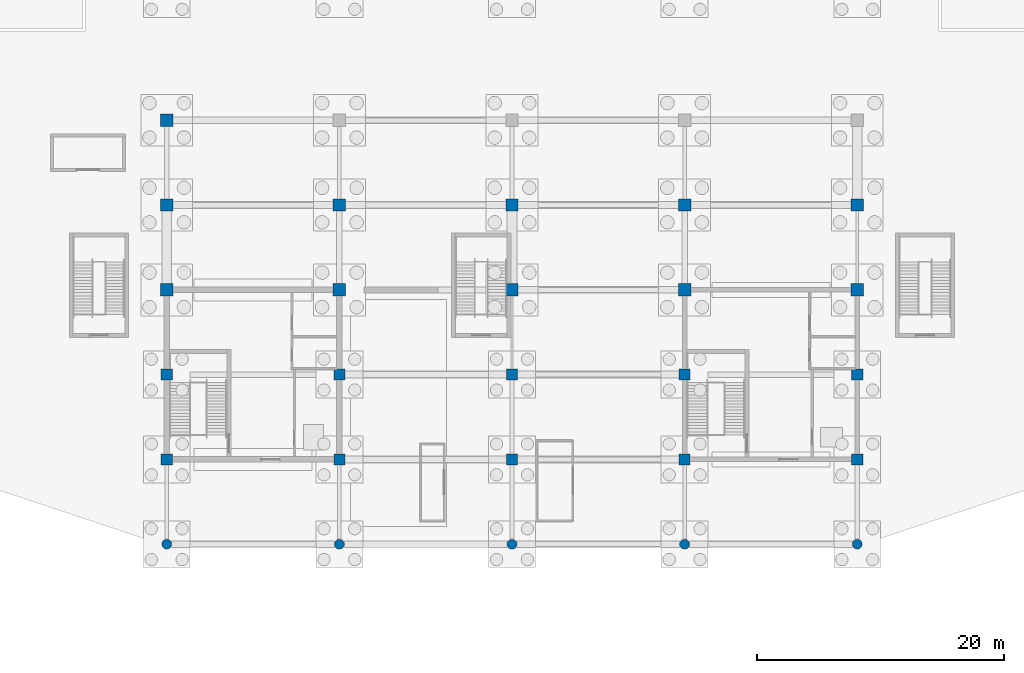
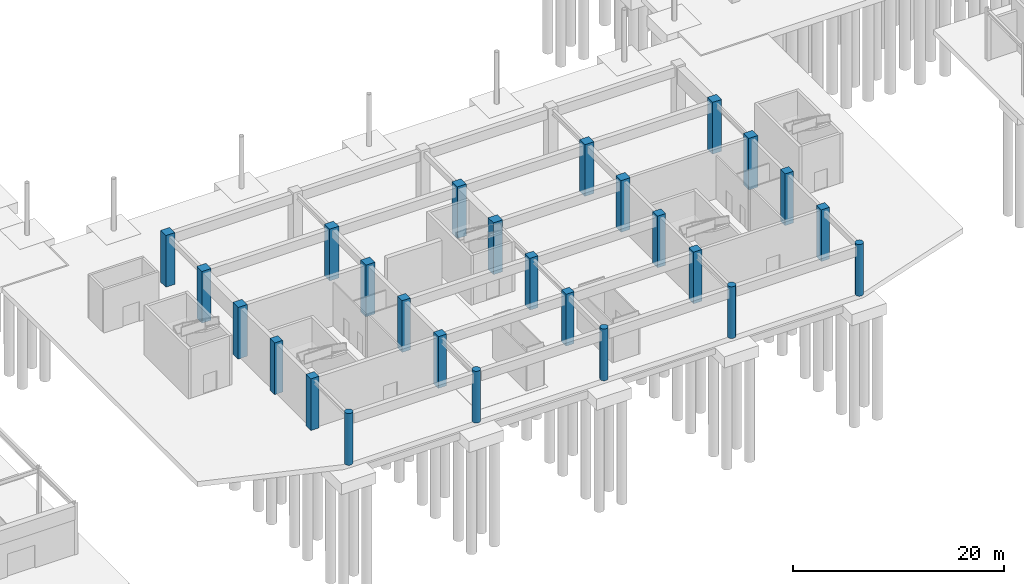
# One storey, part 11 of 62: 26 columns.
"""IFC4 building model written with IfcOpenShell, lengths in metres."""

from ifc_helpers import new_model, si_unit, direction, frame, origin, origin_2d, place, context, subcontext, project, spatial, rectangle, circle, extrude, material, material_profile, profile_set, type_object, element, save


model = new_model("IFC4")

# Units and contexts
model_context = context("Model", 3, precision=1e-05, world=origin(), true_north=direction((0.0, 1.0)))
body_context = subcontext(model_context, "Body", "Model", "MODEL_VIEW")
ifc_project = project(units=[si_unit("LENGTHUNIT", "METRE"), si_unit("AREAUNIT", "SQUARE_METRE"), si_unit("VOLUMEUNIT", "CUBIC_METRE"), si_unit("PLANEANGLEUNIT", "RADIAN"), si_unit("MASSUNIT", "GRAM", prefix="KILO")], contexts=[model_context])

# Site, building, storey
site_placement = place(None, origin())
site = spatial("IfcSite", under=ifc_project, at=site_placement, CompositionType="ELEMENT")
building_placement = place(site_placement, origin())
building = spatial("IfcBuilding", under=site, at=building_placement, Name="Linyun Crest Stadium", CompositionType="ELEMENT")
storey_placement = place(building_placement, frame((0.0, 0.0, -6.0)))
storey = spatial("IfcBuildingStorey", under=building, at=storey_placement, Name="B1", CompositionType="ELEMENT", Elevation=-6.0)

# Columns
ifc_material_1 = material(Name="Concrete C50", Category="concrete")
ifc_material_profile_1 = material_profile(ifc_material_1, rectangle(XDim=0.89990234375, YDim=0.89990234375, at=origin_2d()), Name="RC 900x900")
ifc_profile_set_1 = profile_set([ifc_material_profile_1], Name="Concrete C50")
column_type_1 = type_object("IfcColumnType", Name="C04", PredefinedType="COLUMN", material=ifc_profile_set_1)
for number, where, z_axis, x_axis, name in (
    (1, (-28.0, -87.25, 0.0), (0.0, 0.0, 1.0), (1.0, 0.0, 0.0), "Column C04 B1 677"),
    (2, (-28.0, -80.375, 0.0), (0.0, 0.0, 1.0), (1.0, 0.0, 0.0), "Column C04 B1 682"),
    (3, (-14.0, -87.25, 0.0), (0.0, 0.0, 1.0), (1.0, 0.0, 0.0), "Column C04 B1 701"),
    (4, (-14.0, -80.375, 0.0), (0.0, 0.0, 1.0), (1.0, 0.0, 0.0), "Column C04 B1 706"),
    (5, (0.0, -87.25, 0.0), (0.0, 0.0, 1.0), (1.0, 0.0, 0.0), "Column C04 B1 725"),
    (6, (0.0, -80.375, 0.0), (0.0, 0.0, 1.0), (1.0, 0.0, 0.0), "Column C04 B1 730"),
    (7, (14.0, -87.25, 0.0), (0.0, 0.0, 1.0), (1.0, 0.0, 0.0), "Column C04 B1 749"),
    (8, (14.0, -80.375, 0.0), (0.0, 0.0, 1.0), (1.0, 0.0, 0.0), "Column C04 B1 754"),
    (9, (28.0, -87.25, 0.0), (0.0, 0.0, 1.0), (1.0, 0.0, 0.0), "Column C04 B1 773"),
    (10, (28.0, -80.375, 0.0), (0.0, 0.0, 1.0), (1.0, 0.0, 0.0), "Column C04 B1 778"),
):
    element("IfcColumn", number, at=place(storey_placement, frame(where, z_axis=z_axis, x_axis=x_axis)), inside=storey, type_object=column_type_1, Name=name, PredefinedType="COLUMN", context=body_context, shape_type="SweptSolid", body=[
        extrude(rectangle(XDim=0.89990234375, YDim=0.89990234375, at=origin_2d()), origin(), (0.0, 0.0, 1.0), 5.998046875),
    ])
ifc_material_2 = material(Name="Concrete C50", Category="concrete")
ifc_material_profile_2 = material_profile(ifc_material_2, rectangle(XDim=1.0, YDim=1.0, at=origin_2d()), Name="RC 1000x1000")
ifc_profile_set_2 = profile_set([ifc_material_profile_2], Name="Concrete C50")
column_type_2 = type_object("IfcColumnType", Name="C05", PredefinedType="COLUMN", material=ifc_profile_set_2)
for number, where, z_axis, x_axis, name in (
    (11, (-28.0, -73.5, 0.0), (0.0, 0.0, 1.0), (1.0, 0.0, 0.0), "Column C05 B1 687"),
    (12, (-28.0, -66.625, 0.0), (0.0, 0.0, 1.0), (1.0, 0.0, 0.0), "Column C05 B1 692"),
    (13, (-28.0, -59.75, 0.0), (0.0, 0.0, 1.0), (1.0, 0.0, 0.0), "Column C05 B1 696"),
    (14, (-14.0, -73.5, 0.0), (0.0, 0.0, 1.0), (1.0, 0.0, 0.0), "Column C05 B1 711"),
    (15, (-14.0, -66.625, 0.0), (0.0, 0.0, 1.0), (1.0, 0.0, 0.0), "Column C05 B1 716"),
    (16, (0.0, -73.5, 0.0), (0.0, 0.0, 1.0), (1.0, 0.0, 0.0), "Column C05 B1 735"),
    (17, (0.0, -66.625, 0.0), (0.0, 0.0, 1.0), (1.0, 0.0, 0.0), "Column C05 B1 740"),
    (18, (14.0, -73.5, 0.0), (0.0, 0.0, 1.0), (1.0, 0.0, 0.0), "Column C05 B1 759"),
    (19, (14.0, -66.625, 0.0), (0.0, 0.0, 1.0), (1.0, 0.0, 0.0), "Column C05 B1 764"),
    (20, (28.0, -73.5, 0.0), (0.0, 0.0, 1.0), (1.0, 0.0, 0.0), "Column C05 B1 783"),
    (21, (28.0, -66.625, 0.0), (0.0, 0.0, 1.0), (1.0, 0.0, 0.0), "Column C05 B1 788"),
):
    element("IfcColumn", number, at=place(storey_placement, frame(where, z_axis=z_axis, x_axis=x_axis)), inside=storey, type_object=column_type_2, Name=name, PredefinedType="COLUMN", context=body_context, shape_type="SweptSolid", body=[
        extrude(rectangle(XDim=1.0, YDim=1.0, at=origin_2d()), origin(), (0.0, 0.0, 1.0), 5.998046875),
    ])
ifc_material_3 = material(Name="Concrete C50", Category="concrete")
ifc_material_profile_3 = material_profile(ifc_material_3, circle(Radius=0.39990234375, at=origin_2d()), Name="RC D800")
ifc_profile_set_3 = profile_set([ifc_material_profile_3], Name="Concrete C50")
column_type_3 = type_object("IfcColumnType", Name="C07", PredefinedType="COLUMN", material=ifc_profile_set_3)
for number, where, z_axis, x_axis, name in (
    (22, (-28.0, -94.125, 0.0), (0.0, 0.0, 1.0), (1.0, 0.0, 0.0), "Column C07 B1 674"),
    (23, (-14.0, -94.125, 0.0), (0.0, 0.0, 1.0), (1.0, 0.0, 0.0), "Column C07 B1 698"),
    (24, (0.0, -94.125, 0.0), (0.0, 0.0, 1.0), (1.0, 0.0, 0.0), "Column C07 B1 722"),
    (25, (14.0, -94.125, 0.0), (0.0, 0.0, 1.0), (1.0, 0.0, 0.0), "Column C07 B1 746"),
    (26, (28.0, -94.125, 0.0), (0.0, 0.0, 1.0), (1.0, 0.0, 0.0), "Column C07 B1 770"),
):
    element("IfcColumn", number, at=place(storey_placement, frame(where, z_axis=z_axis, x_axis=x_axis)), inside=storey, type_object=column_type_3, Name=name, PredefinedType="COLUMN", context=body_context, shape_type="SweptSolid", body=[
        extrude(circle(Radius=0.39990234375, at=origin_2d()), origin(), (0.0, 0.0, 1.0), 5.998046875),
    ])

save(model, "model.ifc")
